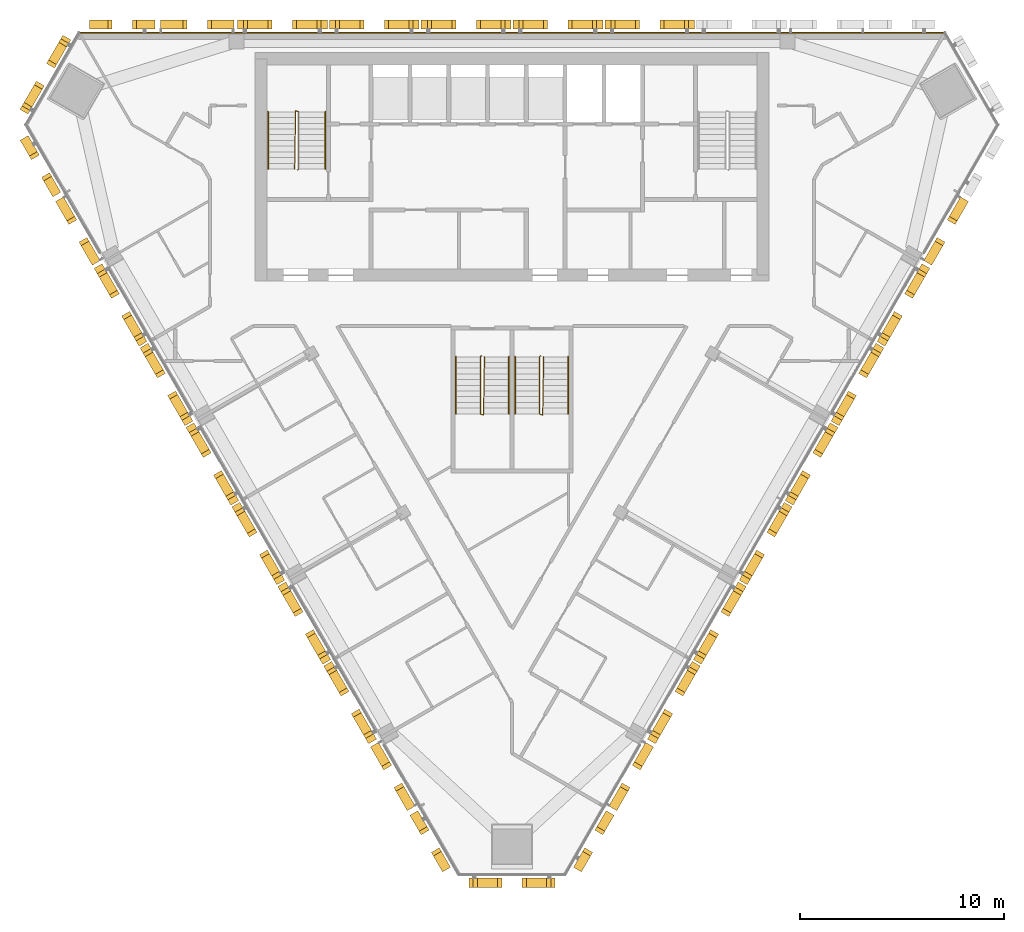
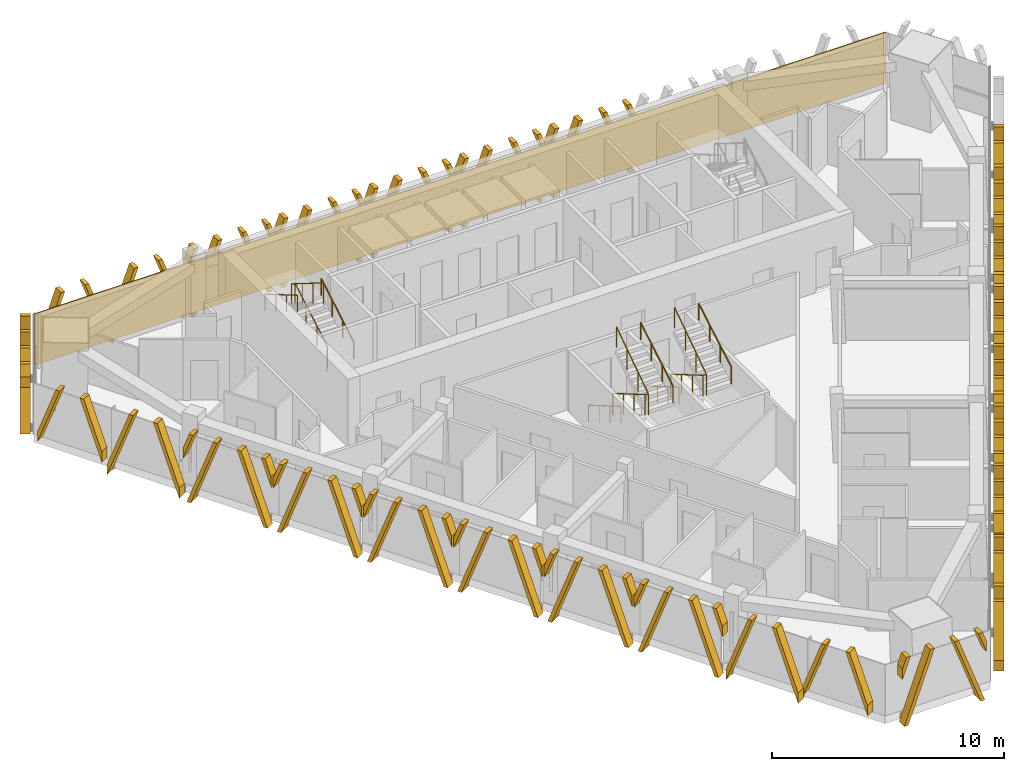
# One storey, part 13 of 15: 28 shading devices, 9 railings, 1 covering.
"""IFC4 building model written with IfcOpenShell, lengths in metres."""

import ifcopenshell
import ifcopenshell.guid

model = None  # the IFC model being written
_history = None  # IfcOwnerHistory: only IFC2X3 demands one
_inside = {}  # id of a spatial element -> (the spatial element, [elements in it])
_under = {}  # id of a project, library or spatial element -> (it, [spatial elements below it])
_declared = {}  # id of a project -> (the project, [libraries it declares])
_typed = {}  # id of a type object -> (the type object, [elements of that type])
_made_of = {}  # id of a material, layer set ... -> (it, [elements and type objects made of it])


def new_model(schema):
    """Start an empty IFC model of exactly this schema.

    Asked for "IFC4X3", IfcOpenShell would pick the latest addendum, in which some entities
    have other attributes; the version numbers below select the first issue.
    IFC2X3 requires an IfcOwnerHistory on every rooted entity: one is made here for all.
    """
    global model, _history
    if schema == "IFC4X3":
        model = ifcopenshell.file(schema_version=(4, 3, 0, 0))
    else:
        model = ifcopenshell.file(schema=schema)
    _inside.clear()
    _under.clear()
    _declared.clear()
    _typed.clear()
    _made_of.clear()
    _history = None
    if model.schema == "IFC2X3":
        org = make("IfcOrganization", Name="unknown")
        user = make(
            "IfcPersonAndOrganization",
            ThePerson=make("IfcPerson", FamilyName="unknown"),
            TheOrganization=org,
        )
        app = make(
            "IfcApplication",
            ApplicationDeveloper=org,
            Version="unknown",
            ApplicationFullName="unknown",
            ApplicationIdentifier="unknown",
        )
        _history = make(
            "IfcOwnerHistory",
            OwningUser=user,
            OwningApplication=app,
            ChangeAction="ADDED",
            CreationDate=0,
        )
    return model


def make(cls, **values):
    """One entity of the class cls with the attributes given. An attribute that is None is left unset."""
    return model.create_entity(
        cls, **{name: value for name, value in values.items() if value is not None}
    )


def rooted(cls, **values):
    """An entity with a GlobalId (a new one), such as an element, a storey or a relation."""
    return make(cls, GlobalId=ifcopenshell.guid.new(), OwnerHistory=_history, **values)


def si_unit(unit_type, name, prefix=None):
    """IfcSIUnit, for example si_unit("LENGTHUNIT", "METRE", prefix="MILLI")."""
    return make("IfcSIUnit", UnitType=unit_type, Prefix=prefix, Name=name)


def assignment(units):
    """IfcUnitAssignment: the units of a project."""
    return None if units is None else make("IfcUnitAssignment", Units=units)


def point(xyz):
    """IfcCartesianPoint."""
    return None if xyz is None else make("IfcCartesianPoint", Coordinates=xyz)


def direction(xyz):
    """IfcDirection."""
    return None if xyz is None else make("IfcDirection", DirectionRatios=xyz)


def frame(location, z_axis=None, x_axis=None):
    """IfcAxis2Placement3D, a coordinate frame: its origin and axes. An axis left out is left unset."""
    return make(
        "IfcAxis2Placement3D",
        Location=point(location),
        Axis=direction(z_axis),
        RefDirection=direction(x_axis),
    )


def frame_2d(location, x_axis=None):
    """IfcAxis2Placement2D, a coordinate frame in the plane: its origin and x axis."""
    return make(
        "IfcAxis2Placement2D", Location=point(location), RefDirection=direction(x_axis)
    )


def origin():
    """The frame at (0, 0, 0) with its axes left unset."""
    return frame((0.0, 0.0, 0.0))


def origin_2d():
    """The frame at (0, 0) in the plane with its x axis left unset."""
    return frame_2d((0.0, 0.0))


def place(relative_to, where):
    """IfcLocalPlacement: puts the frame where relative to a parent placement (None: the world)."""
    return make(
        "IfcLocalPlacement", PlacementRelTo=relative_to, RelativePlacement=where
    )


def context(
    kind, dimensions, precision=None, world=None, true_north=None, identifier=None
):
    """IfcGeometricRepresentationContext, for example the 3D "Model" context."""
    return make(
        "IfcGeometricRepresentationContext",
        ContextIdentifier=identifier,
        ContextType=kind,
        CoordinateSpaceDimension=dimensions,
        Precision=precision,
        WorldCoordinateSystem=world,
        TrueNorth=true_north,
    )


def subcontext(parent, identifier, kind, view, scale=None):
    """IfcGeometricRepresentationSubContext, for example "Body" below "Model"."""
    return make(
        "IfcGeometricRepresentationSubContext",
        ContextIdentifier=identifier,
        ContextType=kind,
        ParentContext=parent,
        TargetScale=scale,
        TargetView=view,
    )


def project(units=None, contexts=None):
    """IfcProject with its units and contexts."""
    return rooted(
        "IfcProject",
        Name="project",
        RepresentationContexts=contexts,
        UnitsInContext=assignment(units),
    )


def spatial(cls, under=None, at=None, **own):
    """A site, building, storey or space (cls), placed at a placement, below another one or the project."""
    s = rooted(cls, ObjectPlacement=at, **own)
    if under is not None:
        _under.setdefault(under.id(), (under, []))[1].append(s)
    return s


def polyline(points):
    """IfcPolyline through the points."""
    return make("IfcPolyline", Points=[point(p) for p in points])


def profile(cls, at=None, kind="AREA", **sizes):
    """A parametric profile (cls). Its sizes go by their IFC names, for example OverallWidth=200.0."""
    return make(cls, ProfileType=kind, Position=at, **sizes)


def rectangle(**sizes):
    """IfcRectangleProfileDef."""
    return profile("IfcRectangleProfileDef", **sizes)


def circle(**sizes):
    """IfcCircleProfileDef."""
    return profile("IfcCircleProfileDef", **sizes)


def outline(outer, holes=None, kind="AREA"):
    """IfcArbitraryClosedProfileDef: a profile drawn as a closed curve; with holes, ...WithVoids."""
    if holes is None:
        return make("IfcArbitraryClosedProfileDef", ProfileType=kind, OuterCurve=outer)
    return make(
        "IfcArbitraryProfileDefWithVoids",
        ProfileType=kind,
        OuterCurve=outer,
        InnerCurves=holes,
    )


def extrude(swept, where, along, depth):
    """IfcExtrudedAreaSolid: the profile swept, set in the frame where, extruded along a direction by depth."""
    return make(
        "IfcExtrudedAreaSolid",
        SweptArea=swept,
        Position=where,
        ExtrudedDirection=direction(along),
        Depth=depth,
    )


def shape(context_of_items, identifier, shape_type, items):
    """IfcShapeRepresentation: the items that make up one representation, for example the "Body"."""
    return make(
        "IfcShapeRepresentation",
        ContextOfItems=context_of_items,
        RepresentationIdentifier=identifier,
        RepresentationType=shape_type,
        Items=items,
    )


def source(mapping_origin, context_of_items, identifier, shape_type, items):
    """IfcRepresentationMap: a shape defined once, which mapped items show again and again."""
    return make(
        "IfcRepresentationMap",
        MappingOrigin=mapping_origin,
        MappedRepresentation=shape(context_of_items, identifier, shape_type, items),
    )


def transform(
    local_origin,
    x_axis=None,
    y_axis=None,
    z_axis=None,
    scale=None,
    scale2=None,
    scale3=None,
    uniform=True,
):
    """IfcCartesianTransformationOperator3D, or its non-uniform kind. x_axis, y_axis, z_axis: its Axis1, 2, 3."""
    if uniform:
        return make(
            "IfcCartesianTransformationOperator3D",
            Axis1=direction(x_axis),
            Axis2=direction(y_axis),
            LocalOrigin=point(local_origin),
            Scale=scale,
            Axis3=direction(z_axis),
        )
    return make(
        "IfcCartesianTransformationOperator3DnonUniform",
        Axis1=direction(x_axis),
        Axis2=direction(y_axis),
        LocalOrigin=point(local_origin),
        Scale=scale,
        Axis3=direction(z_axis),
        Scale2=scale2,
        Scale3=scale3,
    )


def mapped(mapping_source, mapping_target):
    """IfcMappedItem: shows the shape of a source again, moved by a transform."""
    return make(
        "IfcMappedItem", MappingSource=mapping_source, MappingTarget=mapping_target
    )


def material(Name=None, Category=None):
    """IfcMaterial."""
    return make("IfcMaterial", Name=Name, Category=Category)


def layer(
    of_material, thickness, ventilated=None, Name=None, Category=None, Priority=None
):
    """IfcMaterialLayer: one layer of a wall or slab, of a material (None: an air gap)."""
    return make(
        "IfcMaterialLayer",
        Material=of_material,
        LayerThickness=thickness,
        IsVentilated=ventilated,
        Name=Name,
        Category=Category,
        Priority=Priority,
    )


def layer_set(layers, Name=None):
    """IfcMaterialLayerSet."""
    return make("IfcMaterialLayerSet", MaterialLayers=layers, LayerSetName=Name)


def made_of(thing, what):
    """Note that an element or type object is made of a material, layer set ...; save() writes the relation."""
    if what is not None:
        _made_of.setdefault(what.id(), (what, []))[1].append(thing)
    return thing


def type_object(cls, material=None, **own):
    """A type object (cls), such as IfcWallType, which elements share."""
    return made_of(rooted(cls, **own), material)


def element(
    cls,
    number,
    at=None,
    inside=None,
    cuts=None,
    type_object=None,
    material=None,
    context=None,
    identifier="Body",
    shape_type=None,
    held_by="IfcProductDefinitionShape",
    body=None,
    shapes=None,
    **own,
):
    """One element of the class cls, such as IfcWall. Its Tag is "e" and its number.

    at: its placement. inside: the storey or other place that contains it. cuts: it is an
    opening in that element (IfcRelVoidsElement). A single representation is given by context,
    identifier, shape_type and body (its items); several are given by shapes. held_by: the class
    of the entity that holds the representations. save() writes the other relations.
    """
    e = rooted(cls, Tag="e%d" % number, ObjectPlacement=at, **own)
    if body is not None:
        shapes = [shape(context, identifier, shape_type, body)]
    if shapes is not None:
        e.Representation = make(held_by, Representations=shapes)
    if inside is not None:
        _inside.setdefault(inside.id(), (inside, []))[1].append(e)
    if cuts is not None:
        rooted(
            "IfcRelVoidsElement", RelatingBuildingElement=cuts, RelatedOpeningElement=e
        )
    if type_object is not None:
        _typed.setdefault(type_object.id(), (type_object, []))[1].append(e)
    return made_of(e, material)


def aggregate(whole, parts):
    """IfcRelAggregates: a whole, such as a stair, and the parts it consists of."""
    return rooted("IfcRelAggregates", RelatingObject=whole, RelatedObjects=parts)


def save(model, path):
    """Write the relations noted so far, then the file.

    IfcRelAggregates (storeys below a building ...), IfcRelContainedInSpatialStructure (elements
    in a storey), IfcRelDefinesByType, IfcRelAssociatesMaterial and IfcRelDeclares: one each for
    every whole, place, type object, material and project.
    """
    for whole, parts in _under.values():
        aggregate(whole, parts)
    for where, things in _inside.values():
        rooted(
            "IfcRelContainedInSpatialStructure",
            RelatedElements=things,
            RelatingStructure=where,
        )
    for kind, things in _typed.values():
        rooted("IfcRelDefinesByType", RelatedObjects=things, RelatingType=kind)
    for what, things in _made_of.values():
        rooted("IfcRelAssociatesMaterial", RelatedObjects=things, RelatingMaterial=what)
    for by, libraries in _declared.values():
        rooted("IfcRelDeclares", RelatingContext=by, RelatedDefinitions=libraries)
    model.write(path)


model = new_model("IFC4")

# Units and contexts
model_context = context("Model", 3, precision=1e-05, world=origin(), true_north=direction((0.0, 1.0)))
body_context = subcontext(model_context, "Body", "Model", "MODEL_VIEW")
ifc_project = project(units=[si_unit("LENGTHUNIT", "METRE"), si_unit("AREAUNIT", "SQUARE_METRE"), si_unit("VOLUMEUNIT", "CUBIC_METRE"), si_unit("PLANEANGLEUNIT", "RADIAN"), si_unit("MASSUNIT", "GRAM", prefix="KILO")], contexts=[model_context])

# Site, building, storey
site_placement = place(None, origin())
site = spatial("IfcSite", under=ifc_project, at=site_placement, CompositionType="ELEMENT")
building_placement = place(site_placement, origin())
building = spatial("IfcBuilding", under=site, at=building_placement, Name="Altiplano Prism Tower", CompositionType="ELEMENT")
storey_placement = place(building_placement, frame((0.0, 0.0, 250.0)))
storey = spatial("IfcBuildingStorey", under=building, at=storey_placement, Name="L64", CompositionType="ELEMENT", Elevation=250.0)

# Railings
ifc_material_1 = material(Name="Steel S355", Category="steel")
railing_type_1 = type_object("IfcRailingType", Name="Stair guard 1100", PredefinedType="GUARDRAIL", material=ifc_material_1)
railing_1_placement = place(storey_placement, frame((74.5, 98.25, 0.0)))
element("IfcRailing", 1, at=railing_1_placement, inside=storey, type_object=railing_type_1, Name="L64 ST1 stair guard 1", PredefinedType="GUARDRAIL", context=body_context, shape_type="SweptSolid", body=[
    extrude(circle(Radius=0.02392578125, at=origin_2d()), frame((0.0, 0.0, 1.076171875), z_axis=(0.280808744504, 0.280808744504, 0.917765164963), x_axis=(-0.707106781187, 0.707106781187, 0.0)), (0.0, 0.0, 1.0), 0.17822265625),
    extrude(circle(Radius=0.02392578125, at=origin_2d()), frame((0.050048828125, 0.050048828125, 1.23974609375), z_axis=(0.0, 0.863360870873, 0.504586966384), x_axis=(-1.0, 0.0, 0.0)), (0.0, 0.0, 1.0), 3.2431640625),
    extrude(circle(Radius=0.02392578125, at=origin_2d()), frame((0.050048828125, 2.85009765625, 2.8759765625), z_axis=(-0.949145278916, 0.314838433982, 0.0), x_axis=(-0.314838433982, -0.949145278916, 0.0)), (0.0, 0.0, 1.0), 0.158203125),
    extrude(circle(Radius=0.02392578125, at=origin_2d()), frame((-0.10009765625, 2.89990234375, 2.8759765625), z_axis=(-0.01477401265, -0.845377694409, 0.533964682676), x_axis=(0.999847325713, -0.01747355902, 0.0)), (0.0, 0.0, 1.0), 3.37109375),
    extrude(circle(Radius=0.02099609375, at=origin_2d()), origin(), (0.0, 0.0, 1.0), 1.052001953125),
    extrude(circle(Radius=0.02099609375, at=origin_2d()), frame((0.050048828125, 0.050048828125, 0.16357421875)), (0.0, 0.0, 1.0), 1.052001953125),
    extrude(circle(Radius=0.02099609375, at=origin_2d()), frame((0.050048828125, 0.9833984375, 0.708984375)), (0.0, 0.0, 1.0), 1.052001953125),
    extrude(circle(Radius=0.02099609375, at=origin_2d()), frame((0.050048828125, 1.916748046875, 1.254638671875)), (0.0, 0.0, 1.0), 1.052001953125),
    extrude(circle(Radius=0.02099609375, at=origin_2d()), frame((0.050048828125, 2.85009765625, 1.800048828125)), (0.0, 0.0, 1.0), 1.052001953125),
    extrude(circle(Radius=0.02099609375, at=origin_2d()), frame((-0.10009765625, 2.89990234375, 1.800048828125)), (0.0, 0.0, 1.0), 1.052001953125),
    extrude(circle(Radius=0.02099609375, at=origin_2d()), frame((-0.11669921875, 1.949951171875, 2.400146484375)), (0.0, 0.0, 1.0), 1.052001953125),
    extrude(circle(Radius=0.02099609375, at=origin_2d()), frame((-0.13330078125, 1.0, 3.0)), (0.0, 0.0, 1.0), 1.052001953125),
    extrude(circle(Radius=0.02099609375, at=origin_2d()), frame((-0.14990234375, 0.050048828125, 3.60009765625)), (0.0, 0.0, 1.0), 1.052001953125),
])
railing_2_placement = place(storey_placement, frame((83.5, 89.14990234375, 0.0)))
element("IfcRailing", 2, at=railing_2_placement, inside=storey, type_object=railing_type_1, Name="L64 ST3A stair guard 1", PredefinedType="GUARDRAIL", context=body_context, shape_type="SweptSolid", body=[
    extrude(circle(Radius=0.02392578125, at=origin_2d()), frame((0.0, 0.0, 1.076171875), z_axis=(-0.280916556609, -0.279546231943, 0.91811752648), x_axis=(0.705375805398, -0.708833529934, 0.0)), (0.0, 0.0, 1.0), 0.17822265625),
    extrude(circle(Radius=0.02392578125, at=origin_2d()), frame((-0.050048828125, -0.0498046875, 1.23974609375), z_axis=(0.0, -0.863360870873, 0.504586966384), x_axis=(1.0, 0.0, 0.0)), (0.0, 0.0, 1.0), 3.2431640625),
    extrude(circle(Radius=0.02392578125, at=origin_2d()), frame((-0.050048828125, -2.849853515625, 2.8759765625), z_axis=(0.948683298051, -0.316227766017, 0.0), x_axis=(0.316227766017, 0.948683298051, 0.0)), (0.0, 0.0, 1.0), 0.158203125),
    extrude(circle(Radius=0.02392578125, at=origin_2d()), frame((0.10009765625, -2.89990234375, 2.8759765625), z_axis=(0.014773108175, 0.84539835705, 0.533931993021), x_axis=(-0.999847351862, 0.017472062685, 0.0)), (0.0, 0.0, 1.0), 3.371337890625),
    extrude(circle(Radius=0.02099609375, at=origin_2d()), origin(), (0.0, 0.0, 1.0), 1.052001953125),
    extrude(circle(Radius=0.02099609375, at=origin_2d()), frame((-0.050048828125, -0.0498046875, 0.16357421875)), (0.0, 0.0, 1.0), 1.052001953125),
    extrude(circle(Radius=0.02099609375, at=origin_2d()), frame((-0.050048828125, -0.983154296875, 0.708984375)), (0.0, 0.0, 1.0), 1.052001953125),
    extrude(circle(Radius=0.02099609375, at=origin_2d()), frame((-0.050048828125, -1.91650390625, 1.254638671875)), (0.0, 0.0, 1.0), 1.052001953125),
    extrude(circle(Radius=0.02099609375, at=origin_2d()), frame((-0.050048828125, -2.849853515625, 1.800048828125)), (0.0, 0.0, 1.0), 1.052001953125),
    extrude(circle(Radius=0.02099609375, at=origin_2d()), frame((0.10009765625, -2.89990234375, 1.800048828125)), (0.0, 0.0, 1.0), 1.052001953125),
    extrude(circle(Radius=0.02099609375, at=origin_2d()), frame((0.11669921875, -1.949951171875, 2.400146484375)), (0.0, 0.0, 1.0), 1.052001953125),
    extrude(circle(Radius=0.02099609375, at=origin_2d()), frame((0.13330078125, -0.999755859375, 3.0)), (0.0, 0.0, 1.0), 1.052001953125),
    extrude(circle(Radius=0.02099609375, at=origin_2d()), frame((0.14990234375, -0.0498046875, 3.60009765625)), (0.0, 0.0, 1.0), 1.052001953125),
])
railing_3_placement = place(storey_placement, frame((86.39990234375, 89.14990234375, 0.0)))
element("IfcRailing", 3, at=railing_3_placement, inside=storey, type_object=railing_type_1, Name="L64 ST3B stair guard 1", PredefinedType="GUARDRAIL", context=body_context, shape_type="SweptSolid", body=[
    extrude(circle(Radius=0.02392578125, at=origin_2d()), frame((0.0, 0.0, 1.076171875), z_axis=(-0.279653641804, -0.279653641804, 0.918470294159), x_axis=(0.707106781187, -0.707106781187, 0.0)), (0.0, 0.0, 1.0), 0.177978515625),
    extrude(circle(Radius=0.02392578125, at=origin_2d()), frame((-0.0498046875, -0.0498046875, 1.23974609375), z_axis=(0.0, -0.863360870873, 0.504586966384), x_axis=(1.0, 0.0, 0.0)), (0.0, 0.0, 1.0), 3.2431640625),
    extrude(circle(Radius=0.02392578125, at=origin_2d()), frame((-0.0498046875, -2.849853515625, 2.8759765625), z_axis=(0.948528701346, -0.316691178788, 0.0), x_axis=(0.316691178788, 0.948528701346, 0.0)), (0.0, 0.0, 1.0), 0.157958984375),
    extrude(circle(Radius=0.02392578125, at=origin_2d()), frame((0.10009765625, -2.89990234375, 2.8759765625), z_axis=(0.014845509451, 0.845397450405, 0.533931420407), x_axis=(-0.999845851991, 0.017557683712, 0.0)), (0.0, 0.0, 1.0), 3.371337890625),
    extrude(circle(Radius=0.02099609375, at=origin_2d()), origin(), (0.0, 0.0, 1.0), 1.052001953125),
    extrude(circle(Radius=0.02099609375, at=origin_2d()), frame((-0.0498046875, -0.0498046875, 0.16357421875)), (0.0, 0.0, 1.0), 1.052001953125),
    extrude(circle(Radius=0.02099609375, at=origin_2d()), frame((-0.0498046875, -0.983154296875, 0.708984375)), (0.0, 0.0, 1.0), 1.052001953125),
    extrude(circle(Radius=0.02099609375, at=origin_2d()), frame((-0.0498046875, -1.91650390625, 1.254638671875)), (0.0, 0.0, 1.0), 1.052001953125),
    extrude(circle(Radius=0.02099609375, at=origin_2d()), frame((-0.0498046875, -2.849853515625, 1.800048828125)), (0.0, 0.0, 1.0), 1.052001953125),
    extrude(circle(Radius=0.02099609375, at=origin_2d()), frame((0.10009765625, -2.89990234375, 1.800048828125)), (0.0, 0.0, 1.0), 1.052001953125),
    extrude(circle(Radius=0.02099609375, at=origin_2d()), frame((0.11669921875, -1.949951171875, 2.400146484375)), (0.0, 0.0, 1.0), 1.052001953125),
    extrude(circle(Radius=0.02099609375, at=origin_2d()), frame((0.133544921875, -0.999755859375, 3.0)), (0.0, 0.0, 1.0), 1.052001953125),
    extrude(circle(Radius=0.02099609375, at=origin_2d()), frame((0.150146484375, -0.0498046875, 3.60009765625)), (0.0, 0.0, 1.0), 1.052001953125),
])
railing_type_2 = type_object("IfcRailingType", Name="Stair handrail 900", PredefinedType="HANDRAIL", material=ifc_material_1)
railing_4_placement = place(storey_placement, frame((75.85009765625, 98.300048828125, 0.16357421875)))
element("IfcRailing", 4, at=railing_4_placement, inside=storey, type_object=railing_type_2, Name="L64 ST1 stair handrail 1", PredefinedType="HANDRAIL", context=body_context, shape_type="SweptSolid", body=[
    extrude(circle(Radius=0.02392578125, at=origin_2d()), frame((0.0, 0.0, 0.8759765625), z_axis=(0.0, 0.863360870873, 0.504586966384), x_axis=(-1.0, 0.0, 0.0)), (0.0, 0.0, 1.0), 3.2431640625),
    extrude(circle(Radius=0.02099609375, at=origin_2d()), origin(), (0.0, 0.0, 1.0), 0.851806640625),
    extrude(circle(Radius=0.02099609375, at=origin_2d()), frame((0.0, 0.933349609375, 0.54541015625)), (0.0, 0.0, 1.0), 0.851806640625),
    extrude(circle(Radius=0.02099609375, at=origin_2d()), frame((0.0, 1.86669921875, 1.091064453125)), (0.0, 0.0, 1.0), 0.851806640625),
    extrude(circle(Radius=0.02099609375, at=origin_2d()), frame((0.0, 2.800048828125, 1.636474609375)), (0.0, 0.0, 1.0), 0.851806640625),
])
for number, where, name in (
    (5, (73.050048828125, 101.10009765625, 1.963623046875), "L64 ST1 stair handrail 2"),
    (6, (82.25, 89.10009765625, 0.16357421875), "L64 ST3A stair handrail 1"),
):
    element("IfcRailing", number, at=place(storey_placement, frame(where)), inside=storey, type_object=railing_type_2, Name=name, PredefinedType="HANDRAIL", context=body_context, shape_type="SweptSolid", body=[
        extrude(circle(Radius=0.02392578125, at=origin_2d()), frame((0.0, 0.0, 0.8759765625), z_axis=(0.0, -0.863360870873, 0.504586966384), x_axis=(1.0, 0.0, 0.0)), (0.0, 0.0, 1.0), 3.2431640625),
        extrude(circle(Radius=0.02099609375, at=origin_2d()), origin(), (0.0, 0.0, 1.0), 0.851806640625),
        extrude(circle(Radius=0.02099609375, at=origin_2d()), frame((0.0, -0.933349609375, 0.54541015625)), (0.0, 0.0, 1.0), 0.851806640625),
        extrude(circle(Radius=0.02099609375, at=origin_2d()), frame((0.0, -1.86669921875, 1.091064453125)), (0.0, 0.0, 1.0), 0.851806640625),
        extrude(circle(Radius=0.02099609375, at=origin_2d()), frame((0.0, -2.800048828125, 1.636474609375)), (0.0, 0.0, 1.0), 0.851806640625),
    ])
railing_5_placement = place(storey_placement, frame((84.85009765625, 86.300048828125, 1.963623046875)))
element("IfcRailing", 7, at=railing_5_placement, inside=storey, type_object=railing_type_2, Name="L64 ST3A stair handrail 2", PredefinedType="HANDRAIL", context=body_context, shape_type="SweptSolid", body=[
    extrude(circle(Radius=0.02392578125, at=origin_2d()), frame((0.0, 0.0, 0.8759765625), z_axis=(0.0, 0.863360870873, 0.504586966384), x_axis=(-1.0, 0.0, 0.0)), (0.0, 0.0, 1.0), 3.2431640625),
    extrude(circle(Radius=0.02099609375, at=origin_2d()), origin(), (0.0, 0.0, 1.0), 0.851806640625),
    extrude(circle(Radius=0.02099609375, at=origin_2d()), frame((0.0, 0.933349609375, 0.54541015625)), (0.0, 0.0, 1.0), 0.851806640625),
    extrude(circle(Radius=0.02099609375, at=origin_2d()), frame((0.0, 1.86669921875, 1.091064453125)), (0.0, 0.0, 1.0), 0.851806640625),
    extrude(circle(Radius=0.02099609375, at=origin_2d()), frame((0.0, 2.800048828125, 1.636474609375)), (0.0, 0.0, 1.0), 0.851806640625),
])
railing_6_placement = place(storey_placement, frame((85.14990234375, 89.10009765625, 0.16357421875)))
element("IfcRailing", 8, at=railing_6_placement, inside=storey, type_object=railing_type_2, Name="L64 ST3B stair handrail 1", PredefinedType="HANDRAIL", context=body_context, shape_type="SweptSolid", body=[
    extrude(circle(Radius=0.02392578125, at=origin_2d()), frame((0.0, 0.0, 0.8759765625), z_axis=(0.0, -0.863360870873, 0.504586966384), x_axis=(1.0, 0.0, 0.0)), (0.0, 0.0, 1.0), 3.2431640625),
    extrude(circle(Radius=0.02099609375, at=origin_2d()), origin(), (0.0, 0.0, 1.0), 0.851806640625),
    extrude(circle(Radius=0.02099609375, at=origin_2d()), frame((0.0, -0.933349609375, 0.54541015625)), (0.0, 0.0, 1.0), 0.851806640625),
    extrude(circle(Radius=0.02099609375, at=origin_2d()), frame((0.0, -1.86669921875, 1.091064453125)), (0.0, 0.0, 1.0), 0.851806640625),
    extrude(circle(Radius=0.02099609375, at=origin_2d()), frame((0.0, -2.800048828125, 1.636474609375)), (0.0, 0.0, 1.0), 0.851806640625),
])
railing_7_placement = place(storey_placement, frame((87.75, 86.300048828125, 1.963623046875)))
element("IfcRailing", 9, at=railing_7_placement, inside=storey, type_object=railing_type_2, Name="L64 ST3B stair handrail 2", PredefinedType="HANDRAIL", context=body_context, shape_type="SweptSolid", body=[
    extrude(circle(Radius=0.02392578125, at=origin_2d()), frame((0.0, 0.0, 0.8759765625), z_axis=(0.0, 0.863360870873, 0.504586966384), x_axis=(-1.0, 0.0, 0.0)), (0.0, 0.0, 1.0), 3.2431640625),
    extrude(circle(Radius=0.02099609375, at=origin_2d()), origin(), (0.0, 0.0, 1.0), 0.851806640625),
    extrude(circle(Radius=0.02099609375, at=origin_2d()), frame((0.0, 0.933349609375, 0.54541015625)), (0.0, 0.0, 1.0), 0.851806640625),
    extrude(circle(Radius=0.02099609375, at=origin_2d()), frame((0.0, 1.86669921875, 1.091064453125)), (0.0, 0.0, 1.0), 0.851806640625),
    extrude(circle(Radius=0.02099609375, at=origin_2d()), frame((0.0, 2.800048828125, 1.636474609375)), (0.0, 0.0, 1.0), 0.851806640625),
])

# Covering
ifc_material_2 = material(Name="Warm limestone cast stone", Category="masonry")
ifc_layer = layer(ifc_material_2, 0.06005859375)
ifc_layer_set = layer_set([ifc_layer], Name="Warm limestone cast stone")
covering_type = type_object("IfcCoveringType", Name="Stone cladding 60", PredefinedType="CLADDING", material=ifc_layer_set)
covering_placement = place(storey_placement, frame((63.768798828125, 104.969970703125, 0.0), z_axis=(0.0, 0.0, 1.0), x_axis=(1.0, 0.0, 0.0)))
element("IfcCovering", 10, at=covering_placement, inside=storey, type_object=covering_type, Name="Stone cladding north face L64", PredefinedType="CLADDING", context=body_context, shape_type="SweptSolid", body=[
    extrude(rectangle(XDim=42.46240234375, YDim=0.06005859375, at=frame_2d((21.231201171875, 0.0))), origin(), (0.0, 0.0, 1.0), 2.699951171875),
])

# Shading devices
shading_device_type_1 = type_object("IfcShadingDeviceType", Name="Stone fin panel, narrow closing bay", PredefinedType="USERDEFINED", material=ifc_material_2)
shared_shape_1 = source(origin(), body_context, "Body", "SweptSolid", [
    extrude(outline(polyline([(-1.60009765625, 0.577880859375), (-0.5, 3.60009765625), (-0.699951171875, 3.60009765625), (-1.60009765625, 1.127197265625), (-1.60009765625, 0.577880859375)])), frame((0.0, -0.14990234375, 0.0), z_axis=(0.0, -1.0, 0.0), x_axis=(1.0, 0.0, 0.0)), (0.0, 0.0, 1.0), 0.4501953125),
    extrude(outline(polyline([(1.60009765625, 1.127197265625), (0.699951171875, 3.60009765625), (0.5, 3.60009765625), (1.60009765625, 0.577880859375), (1.60009765625, 1.127197265625)])), frame((0.0, -0.14990234375, 0.0), z_axis=(0.0, -1.0, 0.0), x_axis=(1.0, 0.0, 0.0)), (0.0, 0.0, 1.0), 0.4501953125),
])
shading_device_1_placement = place(storey_placement, origin())
element("IfcShadingDevice", 11, at=shading_device_1_placement, inside=storey, type_object=shading_device_type_1, Name="Fin L64 north face 10", ObjectType="FIN", PredefinedType="USERDEFINED", context=body_context, shape_type="MappedRepresentation", body=[
    mapped(shared_shape_1, transform((65.901611328125, 105.0, -0.39990234375), x_axis=(-1.0, 0.0, 0.0), y_axis=(0.0, -1.0, 0.0), z_axis=(0.0, 0.0, 1.0))),
])
shading_device_2_placement = place(storey_placement, origin())
element("IfcShadingDevice", 12, at=shading_device_2_placement, inside=storey, type_object=shading_device_type_1, Name="Fin L64 south-west face 1", ObjectType="FIN", PredefinedType="USERDEFINED", context=body_context, shape_type="MappedRepresentation", body=[
    mapped(shared_shape_1, transform((62.21923828125, 98.621826171875, -0.39990234375), x_axis=(0.499999999907, -0.866025403838, 0.0), y_axis=(0.866025403838, 0.499999999907, 0.0), z_axis=(0.0, 0.0, 1.0))),
])
shading_device_3_placement = place(storey_placement, origin())
element("IfcShadingDevice", 13, at=shading_device_3_placement, inside=storey, type_object=shading_device_type_1, Name="Fin L64 south-west face 10", ObjectType="FIN", PredefinedType="USERDEFINED", context=body_context, shape_type="MappedRepresentation", body=[
    mapped(shared_shape_1, transform((81.317626953125, 65.54248046875, -0.39990234375), x_axis=(0.499999999907, -0.866025403838, 0.0), y_axis=(0.866025403838, 0.499999999907, 0.0), z_axis=(0.0, 0.0, 1.0))),
])
shading_device_4_placement = place(storey_placement, origin())
element("IfcShadingDevice", 14, at=shading_device_4_placement, inside=storey, type_object=shading_device_type_1, Name="Fin L64 south-east face 1", ObjectType="FIN", PredefinedType="USERDEFINED", context=body_context, shape_type="MappedRepresentation", body=[
    mapped(shared_shape_1, transform((88.682373046875, 65.54248046875, -0.39990234375), x_axis=(0.499999999907, 0.866025403838, 0.0), y_axis=(-0.866025403838, 0.499999999907, 0.0), z_axis=(0.0, 0.0, 1.0))),
])
shading_device_type_2 = type_object("IfcShadingDeviceType", Name="Stone fin panel, standard unit", PredefinedType="USERDEFINED", material=ifc_material_2)
shared_shape_2 = source(origin(), body_context, "Body", "SweptSolid", [
    extrude(outline(polyline([(-2.199951171875, 2.226318359375), (-1.699951171875, 3.60009765625), (-1.89990234375, 3.60009765625), (-2.199951171875, 2.77587890625), (-2.199951171875, 2.226318359375)])), frame((0.0, -0.14990234375, 0.0), z_axis=(0.0, -1.0, 0.0), x_axis=(1.0, 0.0, 0.0)), (0.0, 0.0, 1.0), 0.4501953125),
    extrude(outline(polyline([(-2.01025390625, 0.0), (-1.810302734375, 0.0), (-0.5, 3.60009765625), (-0.699951171875, 3.60009765625), (-2.01025390625, 0.0)])), frame((0.0, -0.14990234375, 0.0), z_axis=(0.0, -1.0, 0.0), x_axis=(1.0, 0.0, 0.0)), (0.0, 0.0, 1.0), 0.4501953125),
    extrude(outline(polyline([(1.810302734375, 0.0), (2.01025390625, 0.0), (0.699951171875, 3.60009765625), (0.5, 3.60009765625), (1.810302734375, 0.0)])), frame((0.0, -0.14990234375, 0.0), z_axis=(0.0, -1.0, 0.0), x_axis=(1.0, 0.0, 0.0)), (0.0, 0.0, 1.0), 0.4501953125),
    extrude(outline(polyline([(2.199951171875, 2.77587890625), (1.89990234375, 3.60009765625), (1.699951171875, 3.60009765625), (2.199951171875, 2.226318359375), (2.199951171875, 2.77587890625)])), frame((0.0, -0.14990234375, 0.0), z_axis=(0.0, -1.0, 0.0), x_axis=(1.0, 0.0, 0.0)), (0.0, 0.0, 1.0), 0.4501953125),
])
shading_device_5_placement = place(storey_placement, origin())
element("IfcShadingDevice", 15, at=shading_device_5_placement, inside=storey, type_object=shading_device_type_2, Name="Fin L64 north face 4", ObjectType="FIN", PredefinedType="USERDEFINED", context=body_context, shape_type="MappedRepresentation", body=[
    mapped(shared_shape_2, transform((91.75, 105.0, -0.39990234375), x_axis=(-1.0, 0.0, 0.0), y_axis=(0.0, -1.0, 0.0), z_axis=(0.0, 0.0, 1.0))),
])
shading_device_6_placement = place(storey_placement, origin())
element("IfcShadingDevice", 16, at=shading_device_6_placement, inside=storey, type_object=shading_device_type_2, Name="Fin L64 north face 5", ObjectType="FIN", PredefinedType="USERDEFINED", context=body_context, shape_type="MappedRepresentation", body=[
    mapped(shared_shape_2, transform((87.25, 105.0, -0.39990234375), x_axis=(-1.0, 0.0, 0.0), y_axis=(0.0, -1.0, 0.0), z_axis=(0.0, 0.0, 1.0))),
])
shading_device_7_placement = place(storey_placement, origin())
element("IfcShadingDevice", 17, at=shading_device_7_placement, inside=storey, type_object=shading_device_type_2, Name="Fin L64 north face 6", ObjectType="FIN", PredefinedType="USERDEFINED", context=body_context, shape_type="MappedRepresentation", body=[
    mapped(shared_shape_2, transform((82.75, 105.0, -0.39990234375), x_axis=(-1.0, 0.0, 0.0), y_axis=(0.0, -1.0, 0.0), z_axis=(0.0, 0.0, 1.0))),
])
shading_device_8_placement = place(storey_placement, origin())
element("IfcShadingDevice", 18, at=shading_device_8_placement, inside=storey, type_object=shading_device_type_2, Name="Fin L64 north face 7", ObjectType="FIN", PredefinedType="USERDEFINED", context=body_context, shape_type="MappedRepresentation", body=[
    mapped(shared_shape_2, transform((78.25, 105.0, -0.39990234375), x_axis=(-1.0, 0.0, 0.0), y_axis=(0.0, -1.0, 0.0), z_axis=(0.0, 0.0, 1.0))),
])
shading_device_9_placement = place(storey_placement, origin())
element("IfcShadingDevice", 19, at=shading_device_9_placement, inside=storey, type_object=shading_device_type_2, Name="Fin L64 north face 8", ObjectType="FIN", PredefinedType="USERDEFINED", context=body_context, shape_type="MappedRepresentation", body=[
    mapped(shared_shape_2, transform((73.75, 105.0, -0.39990234375), x_axis=(-1.0, 0.0, 0.0), y_axis=(0.0, -1.0, 0.0), z_axis=(0.0, 0.0, 1.0))),
])
shading_device_10_placement = place(storey_placement, origin())
element("IfcShadingDevice", 20, at=shading_device_10_placement, inside=storey, type_object=shading_device_type_2, Name="Fin L64 south-west face 3", ObjectType="FIN", PredefinedType="USERDEFINED", context=body_context, shape_type="MappedRepresentation", body=[
    mapped(shared_shape_2, transform((66.143310546875, 91.824951171875, -0.39990234375), x_axis=(0.499999999907, -0.866025403838, 0.0), y_axis=(0.866025403838, 0.499999999907, 0.0), z_axis=(0.0, 0.0, 1.0))),
])
shading_device_11_placement = place(storey_placement, origin())
element("IfcShadingDevice", 21, at=shading_device_11_placement, inside=storey, type_object=shading_device_type_2, Name="Fin L64 south-west face 4", ObjectType="FIN", PredefinedType="USERDEFINED", context=body_context, shape_type="MappedRepresentation", body=[
    mapped(shared_shape_2, transform((68.393310546875, 87.927734375, -0.39990234375), x_axis=(0.499999999907, -0.866025403838, 0.0), y_axis=(0.866025403838, 0.499999999907, 0.0), z_axis=(0.0, 0.0, 1.0))),
])
shading_device_12_placement = place(storey_placement, origin())
element("IfcShadingDevice", 22, at=shading_device_12_placement, inside=storey, type_object=shading_device_type_2, Name="Fin L64 south-west face 5", ObjectType="FIN", PredefinedType="USERDEFINED", context=body_context, shape_type="MappedRepresentation", body=[
    mapped(shared_shape_2, transform((70.643310546875, 84.03076171875, -0.39990234375), x_axis=(0.499999999907, -0.866025403838, 0.0), y_axis=(0.866025403838, 0.499999999907, 0.0), z_axis=(0.0, 0.0, 1.0))),
])
shading_device_13_placement = place(storey_placement, origin())
element("IfcShadingDevice", 23, at=shading_device_13_placement, inside=storey, type_object=shading_device_type_2, Name="Fin L64 south-west face 6", ObjectType="FIN", PredefinedType="USERDEFINED", context=body_context, shape_type="MappedRepresentation", body=[
    mapped(shared_shape_2, transform((72.893310546875, 80.133544921875, -0.39990234375), x_axis=(0.499999999907, -0.866025403838, 0.0), y_axis=(0.866025403838, 0.499999999907, 0.0), z_axis=(0.0, 0.0, 1.0))),
])
shading_device_14_placement = place(storey_placement, origin())
element("IfcShadingDevice", 24, at=shading_device_14_placement, inside=storey, type_object=shading_device_type_2, Name="Fin L64 south-west face 7", ObjectType="FIN", PredefinedType="USERDEFINED", context=body_context, shape_type="MappedRepresentation", body=[
    mapped(shared_shape_2, transform((75.143310546875, 76.236572265625, -0.39990234375), x_axis=(0.499999999907, -0.866025403838, 0.0), y_axis=(0.866025403838, 0.499999999907, 0.0), z_axis=(0.0, 0.0, 1.0))),
])
shading_device_15_placement = place(storey_placement, origin())
element("IfcShadingDevice", 25, at=shading_device_15_placement, inside=storey, type_object=shading_device_type_2, Name="Fin L64 south-west face 8", ObjectType="FIN", PredefinedType="USERDEFINED", context=body_context, shape_type="MappedRepresentation", body=[
    mapped(shared_shape_2, transform((77.393310546875, 72.33935546875, -0.39990234375), x_axis=(0.499999999907, -0.866025403838, 0.0), y_axis=(0.866025403838, 0.499999999907, 0.0), z_axis=(0.0, 0.0, 1.0))),
])
shading_device_16_placement = place(storey_placement, origin())
element("IfcShadingDevice", 26, at=shading_device_16_placement, inside=storey, type_object=shading_device_type_2, Name="Fin L64 south-east face 3", ObjectType="FIN", PredefinedType="USERDEFINED", context=body_context, shape_type="MappedRepresentation", body=[
    mapped(shared_shape_2, transform((92.606689453125, 72.33935546875, -0.39990234375), x_axis=(0.499999999907, 0.866025403838, 0.0), y_axis=(-0.866025403838, 0.499999999907, 0.0), z_axis=(0.0, 0.0, 1.0))),
])
shading_device_17_placement = place(storey_placement, origin())
element("IfcShadingDevice", 27, at=shading_device_17_placement, inside=storey, type_object=shading_device_type_2, Name="Fin L64 south-east face 4", ObjectType="FIN", PredefinedType="USERDEFINED", context=body_context, shape_type="MappedRepresentation", body=[
    mapped(shared_shape_2, transform((94.856689453125, 76.236572265625, -0.39990234375), x_axis=(0.499999999907, 0.866025403838, 0.0), y_axis=(-0.866025403838, 0.499999999907, 0.0), z_axis=(0.0, 0.0, 1.0))),
])
shading_device_18_placement = place(storey_placement, origin())
element("IfcShadingDevice", 28, at=shading_device_18_placement, inside=storey, type_object=shading_device_type_2, Name="Fin L64 south-east face 5", ObjectType="FIN", PredefinedType="USERDEFINED", context=body_context, shape_type="MappedRepresentation", body=[
    mapped(shared_shape_2, transform((97.106689453125, 80.133544921875, -0.39990234375), x_axis=(0.499999999907, 0.866025403838, 0.0), y_axis=(-0.866025403838, 0.499999999907, 0.0), z_axis=(0.0, 0.0, 1.0))),
])
shading_device_19_placement = place(storey_placement, origin())
element("IfcShadingDevice", 29, at=shading_device_19_placement, inside=storey, type_object=shading_device_type_2, Name="Fin L64 south-east face 6", ObjectType="FIN", PredefinedType="USERDEFINED", context=body_context, shape_type="MappedRepresentation", body=[
    mapped(shared_shape_2, transform((99.356689453125, 84.03076171875, -0.39990234375), x_axis=(0.499999999907, 0.866025403838, 0.0), y_axis=(-0.866025403838, 0.499999999907, 0.0), z_axis=(0.0, 0.0, 1.0))),
])
shading_device_20_placement = place(storey_placement, origin())
element("IfcShadingDevice", 30, at=shading_device_20_placement, inside=storey, type_object=shading_device_type_2, Name="Fin L64 south-east face 7", ObjectType="FIN", PredefinedType="USERDEFINED", context=body_context, shape_type="MappedRepresentation", body=[
    mapped(shared_shape_2, transform((101.606689453125, 87.927734375, -0.39990234375), x_axis=(0.499999999907, 0.866025403838, 0.0), y_axis=(-0.866025403838, 0.499999999907, 0.0), z_axis=(0.0, 0.0, 1.0))),
])
shading_device_21_placement = place(storey_placement, origin())
element("IfcShadingDevice", 31, at=shading_device_21_placement, inside=storey, type_object=shading_device_type_2, Name="Fin L64 south-east face 8", ObjectType="FIN", PredefinedType="USERDEFINED", context=body_context, shape_type="MappedRepresentation", body=[
    mapped(shared_shape_2, transform((103.856689453125, 91.824951171875, -0.39990234375), x_axis=(0.499999999907, 0.866025403838, 0.0), y_axis=(-0.866025403838, 0.499999999907, 0.0), z_axis=(0.0, 0.0, 1.0))),
])
shared_shape_3 = source(origin(), body_context, "Body", "SweptSolid", [
    extrude(outline(polyline([(-1.800048828125, 0.0283203125), (-0.5, 3.60009765625), (-0.699951171875, 3.60009765625), (-1.800048828125, 0.577880859375), (-1.800048828125, 0.0283203125)])), frame((0.0, -0.14990234375, 0.0), z_axis=(0.0, -1.0, 0.0), x_axis=(1.0, 0.0, 0.0)), (0.0, 0.0, 1.0), 0.4501953125),
    extrude(outline(polyline([(1.800048828125, 0.577880859375), (0.699951171875, 3.60009765625), (0.5, 3.60009765625), (1.800048828125, 0.0283203125), (1.800048828125, 0.577880859375)])), frame((0.0, -0.14990234375, 0.0), z_axis=(0.0, -1.0, 0.0), x_axis=(1.0, 0.0, 0.0)), (0.0, 0.0, 1.0), 0.4501953125),
])
shading_device_22_placement = place(storey_placement, origin())
element("IfcShadingDevice", 32, at=shading_device_22_placement, inside=storey, type_object=shading_device_type_1, Name="Fin L64 north face 9", ObjectType="FIN", PredefinedType="USERDEFINED", context=body_context, shape_type="MappedRepresentation", body=[
    mapped(shared_shape_3, transform((69.567138671875, 105.0, -0.39990234375), x_axis=(-1.0, 0.0, 0.0), y_axis=(0.0, -1.0, 0.0), z_axis=(0.0, 0.0, 1.0))),
])
shading_device_23_placement = place(storey_placement, origin())
element("IfcShadingDevice", 33, at=shading_device_23_placement, inside=storey, type_object=shading_device_type_1, Name="Fin L64 south-west face 2", ObjectType="FIN", PredefinedType="USERDEFINED", context=body_context, shape_type="MappedRepresentation", body=[
    mapped(shared_shape_3, transform((64.052001953125, 95.447265625, -0.39990234375), x_axis=(0.499999999907, -0.866025403838, 0.0), y_axis=(0.866025403838, 0.499999999907, 0.0), z_axis=(0.0, 0.0, 1.0))),
])
shading_device_24_placement = place(storey_placement, origin())
element("IfcShadingDevice", 34, at=shading_device_24_placement, inside=storey, type_object=shading_device_type_1, Name="Fin L64 south-west face 9", ObjectType="FIN", PredefinedType="USERDEFINED", context=body_context, shape_type="MappedRepresentation", body=[
    mapped(shared_shape_3, transform((79.48486328125, 68.717041015625, -0.39990234375), x_axis=(0.499999999907, -0.866025403838, 0.0), y_axis=(0.866025403838, 0.499999999907, 0.0), z_axis=(0.0, 0.0, 1.0))),
])
shading_device_25_placement = place(storey_placement, origin())
element("IfcShadingDevice", 35, at=shading_device_25_placement, inside=storey, type_object=shading_device_type_1, Name="Fin L64 south-east face 2", ObjectType="FIN", PredefinedType="USERDEFINED", context=body_context, shape_type="MappedRepresentation", body=[
    mapped(shared_shape_3, transform((90.51513671875, 68.717041015625, -0.39990234375), x_axis=(0.499999999907, 0.866025403838, 0.0), y_axis=(-0.866025403838, 0.499999999907, 0.0), z_axis=(0.0, 0.0, 1.0))),
])
shading_device_26_placement = place(storey_placement, origin())
element("IfcShadingDevice", 36, at=shading_device_26_placement, inside=storey, type_object=shading_device_type_1, Name="Fin L64 south-east face 9", ObjectType="FIN", PredefinedType="USERDEFINED", context=body_context, shape_type="MappedRepresentation", body=[
    mapped(shared_shape_3, transform((105.947998046875, 95.447265625, -0.39990234375), x_axis=(0.499999999907, 0.866025403838, 0.0), y_axis=(-0.866025403838, 0.499999999907, 0.0), z_axis=(0.0, 0.0, 1.0))),
])
shading_device_type_3 = type_object("IfcShadingDeviceType", Name="Stone fin panel, chamfer unit", PredefinedType="USERDEFINED", material=ifc_material_2)
shared_shape_4 = source(origin(), body_context, "Body", "SweptSolid", [
    extrude(outline(polyline([(-2.10009765625, 2.5009765625), (-1.699951171875, 3.60009765625), (-1.89990234375, 3.60009765625), (-2.10009765625, 3.050537109375), (-2.10009765625, 2.5009765625)])), frame((0.0, -0.14990234375, 0.0), z_axis=(0.0, -1.0, 0.0), x_axis=(1.0, 0.0, 0.0)), (0.0, 0.0, 1.0), 0.4501953125),
    extrude(outline(polyline([(-2.01025390625, 0.0), (-1.810302734375, 0.0), (-0.5, 3.60009765625), (-0.699951171875, 3.60009765625), (-2.01025390625, 0.0)])), frame((0.0, -0.14990234375, 0.0), z_axis=(0.0, -1.0, 0.0), x_axis=(1.0, 0.0, 0.0)), (0.0, 0.0, 1.0), 0.4501953125),
    extrude(outline(polyline([(1.810302734375, 0.0), (2.01025390625, 0.0), (0.699951171875, 3.60009765625), (0.5, 3.60009765625), (1.810302734375, 0.0)])), frame((0.0, -0.14990234375, 0.0), z_axis=(0.0, -1.0, 0.0), x_axis=(1.0, 0.0, 0.0)), (0.0, 0.0, 1.0), 0.4501953125),
    extrude(outline(polyline([(2.10009765625, 3.050537109375), (1.89990234375, 3.60009765625), (1.699951171875, 3.60009765625), (2.10009765625, 2.5009765625), (2.10009765625, 3.050537109375)])), frame((0.0, -0.14990234375, 0.0), z_axis=(0.0, -1.0, 0.0), x_axis=(1.0, 0.0, 0.0)), (0.0, 0.0, 1.0), 0.4501953125),
])
shading_device_27_placement = place(storey_placement, origin())
element("IfcShadingDevice", 37, at=shading_device_27_placement, inside=storey, type_object=shading_device_type_3, Name="Fin L64 north-west chamfer 1", ObjectType="FIN", PredefinedType="USERDEFINED", context=body_context, shape_type="MappedRepresentation", body=[
    mapped(shared_shape_4, transform((62.4609375, 102.734375, -0.39990234375), x_axis=(-0.50000001892, -0.866025392861, 0.0), y_axis=(0.866025392861, -0.50000001892, 0.0), z_axis=(0.0, 0.0, 1.0))),
])
shading_device_28_placement = place(storey_placement, origin())
element("IfcShadingDevice", 38, at=shading_device_28_placement, inside=storey, type_object=shading_device_type_3, Name="Fin L64 south chamfer 1", ObjectType="FIN", PredefinedType="USERDEFINED", context=body_context, shape_type="MappedRepresentation", body=[
    mapped(shared_shape_4, transform((85.0, 63.695556640625, -0.39990234375), x_axis=(1.0, 0.0, 0.0), y_axis=(0.0, 1.0, 0.0), z_axis=(0.0, 0.0, 1.0))),
])

save(model, "model.ifc")
